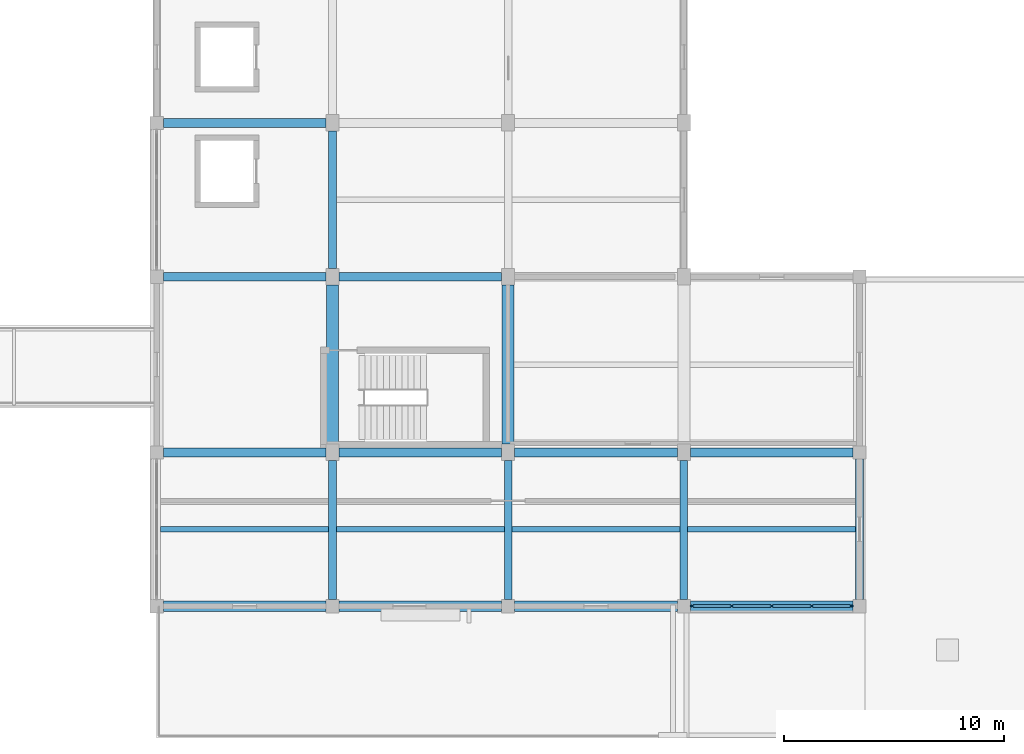
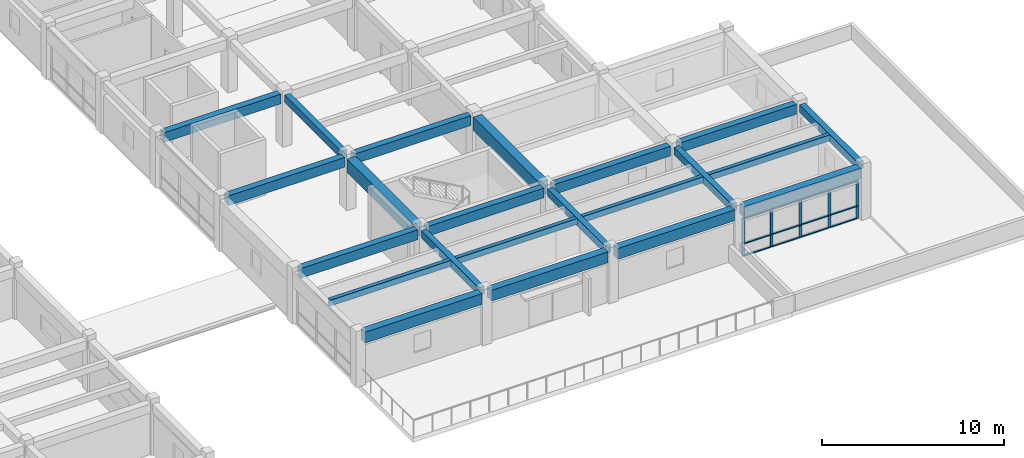
# One storey, part 16 of 42: 22 beams, 17 members, 1 element without a shape of its own.
"""IFC4 building model written with IfcOpenShell, lengths in metres."""

from ifc_helpers import new_model, si_unit, direction, frame, origin, origin_2d, place, context, subcontext, project, spatial, rectangle, extrude, material, layer, layer_set, material_profile, profile_set, type_object, element, aggregate, save


model = new_model("IFC4")

# Units and contexts
model_context = context("Model", 3, precision=1e-05, world=origin(), true_north=direction((0.0, 1.0)))
body_context = subcontext(model_context, "Body", "Model", "MODEL_VIEW")
ifc_project = project(units=[si_unit("LENGTHUNIT", "METRE"), si_unit("AREAUNIT", "SQUARE_METRE"), si_unit("VOLUMEUNIT", "CUBIC_METRE"), si_unit("PLANEANGLEUNIT", "RADIAN"), si_unit("MASSUNIT", "GRAM", prefix="KILO")], contexts=[model_context])

# Site, building, storey
site_placement = place(None, origin())
site = spatial("IfcSite", under=ifc_project, at=site_placement, CompositionType="ELEMENT")
building_placement = place(site_placement, origin())
building = spatial("IfcBuilding", under=site, at=building_placement, Name="Naurynzar Civic Courthouse", CompositionType="ELEMENT")
storey_placement = place(building_placement, frame((0.0, 0.0, 18.300048828125)))
storey = spatial("IfcBuildingStorey", under=building, at=storey_placement, Name="L05", CompositionType="ELEMENT", Elevation=18.300048828125)

# Beams
ifc_material_1 = material(Name="Concrete C40/50", Category="concrete")
ifc_material_profile_1 = material_profile(ifc_material_1, rectangle(XDim=0.25, YDim=0.39990234375, at=origin_2d()), Name="RCB 250x400")
ifc_profile_set_1 = profile_set([ifc_material_profile_1], Name="Concrete C40/50")
beam_type_1 = type_object("IfcBeamType", Name="BM-JST-250x400", PredefinedType="JOIST", material=ifc_profile_set_1)
for number, where, z_axis, x_axis, name in (
    (1, (130.175048828125, 13.5, 3.27001953125), (1.0, 0.0, 0.0), (0.0, 1.0, 0.0), "V5 secondary rib 2700 L05"),
    (2, (138.175048828125, 13.5, 3.27001953125), (1.0, 0.0, 0.0), (0.0, 1.0, 0.0), "V5 secondary rib 2701 L05"),
    (3, (146.175048828125, 13.5, 3.27001953125), (1.0, 0.0, 0.0), (0.0, 1.0, 0.0), "V5 secondary rib 2702 L05"),
    (4, (154.175048828125, 13.5, 3.27001953125), (1.0, 0.0, 0.0), (0.0, 1.0, 0.0), "V5 secondary rib 2703 L05"),
):
    element("IfcBeam", number, at=place(storey_placement, frame(where, z_axis=z_axis, x_axis=x_axis)), inside=storey, type_object=beam_type_1, Name=name, PredefinedType="JOIST", context=body_context, shape_type="SweptSolid", body=[
        extrude(rectangle(XDim=0.25, YDim=0.39990234375, at=origin_2d()), origin(), (0.0, 0.0, 1.0), 7.64990234375),
    ])
ifc_material_2 = material(Name="Concrete C40/50", Category="concrete")
ifc_material_profile_2 = material_profile(ifc_material_2, rectangle(XDim=0.35009765625, YDim=0.5, at=origin_2d()), Name="RCB 350x500")
ifc_profile_set_2 = profile_set([ifc_material_profile_2], Name="Concrete C40/50")
beam_type_2 = type_object("IfcBeamType", Name="BM-RC-350x500", PredefinedType="BEAM", material=ifc_profile_set_2)
beam_1_placement = place(storey_placement, frame((138.0, 10.300048828125, 3.219970703125), z_axis=(0.0, 1.0, 0.0), x_axis=(-1.0, 0.0, 0.0)))
element("IfcBeam", 5, at=beam_1_placement, inside=storey, type_object=beam_type_2, Name="V5 girder Y-2671 L05", PredefinedType="BEAM", context=body_context, shape_type="SweptSolid", body=[
    extrude(rectangle(XDim=0.35009765625, YDim=0.5, at=origin_2d()), origin(), (0.0, 0.0, 1.0), 6.324951171875),
])
beam_2_placement = place(storey_placement, frame((138.0, 25.375, 3.219970703125), z_axis=(0.0, 1.0, 0.0), x_axis=(-1.0, 0.0, 0.0)))
element("IfcBeam", 6, at=beam_2_placement, inside=storey, type_object=beam_type_2, Name="V5 girder Y-2673 L05", PredefinedType="BEAM", context=body_context, shape_type="SweptSolid", body=[
    extrude(rectangle(XDim=0.35009765625, YDim=0.5, at=origin_2d()), origin(), (0.0, 0.0, 1.0), 6.25),
])
for number, where, z_axis, x_axis, name in (
    (7, (146.0, 10.300048828125, 3.219970703125), (0.0, 1.0, 0.0), (-1.0, 0.0, 0.0), "V5 girder Y-2679 L05"),
    (8, (154.0, 10.300048828125, 3.219970703125), (0.0, 1.0, 0.0), (-1.0, 0.0, 0.0), "V5 girder Y-2687 L05"),
):
    element("IfcBeam", number, at=place(storey_placement, frame(where, z_axis=z_axis, x_axis=x_axis)), inside=storey, type_object=beam_type_2, Name=name, PredefinedType="BEAM", context=body_context, shape_type="SweptSolid", body=[
        extrude(rectangle(XDim=0.35009765625, YDim=0.5, at=origin_2d()), origin(), (0.0, 0.0, 1.0), 6.324951171875),
    ])
beam_3_placement = place(storey_placement, frame((162.0, 10.300048828125, 3.219970703125), z_axis=(0.0, 1.0, 0.0), x_axis=(-1.0, 0.0, 0.0)))
element("IfcBeam", 9, at=beam_3_placement, inside=storey, type_object=beam_type_2, Name="V5 girder Y-2695 L05", PredefinedType="BEAM", context=body_context, shape_type="SweptSolid", body=[
    extrude(rectangle(XDim=0.35009765625, YDim=0.5, at=origin_2d()), origin(), (0.0, 0.0, 1.0), 6.39990234375),
])
ifc_material_3 = material(Name="Concrete C40/50", Category="concrete")
ifc_material_profile_3 = material_profile(ifc_material_3, rectangle(XDim=0.39990234375, YDim=0.64990234375, at=origin_2d()), Name="RCB 400x650")
ifc_profile_set_3 = profile_set([ifc_material_profile_3], Name="Concrete C40/50")
beam_type_3 = type_object("IfcBeamType", Name="BM-RC-400x650", PredefinedType="BEAM", material=ifc_profile_set_3)
for number, where, z_axis, x_axis, name in (
    (10, (130.300048828125, 17.0, 3.14501953125), (1.0, 0.0, 0.0), (0.0, 1.0, 0.0), "V5 beam X-2633 L05"),
    (11, (138.300048828125, 17.0, 3.14501953125), (1.0, 0.0, 0.0), (0.0, 1.0, 0.0), "V5 beam X-2634 L05"),
    (12, (146.300048828125, 17.0, 3.14501953125), (1.0, 0.0, 0.0), (0.0, 1.0, 0.0), "V5 beam X-2635 L05"),
    (13, (154.300048828125, 17.0, 3.14501953125), (1.0, 0.0, 0.0), (0.0, 1.0, 0.0), "V5 beam X-2636 L05"),
    (14, (130.300048828125, 25.0, 3.14501953125), (1.0, 0.0, 0.0), (0.0, 1.0, 0.0), "V5 beam X-2637 L05"),
    (15, (138.300048828125, 25.0, 3.14501953125), (1.0, 0.0, 0.0), (0.0, 1.0, 0.0), "V5 beam X-2638 L05"),
    (16, (130.300048828125, 32.0, 3.14501953125), (1.0, 0.0, 0.0), (0.0, 1.0, 0.0), "V5 beam X-2641 L05"),
):
    element("IfcBeam", number, at=place(storey_placement, frame(where, z_axis=z_axis, x_axis=x_axis)), inside=storey, type_object=beam_type_3, Name=name, PredefinedType="BEAM", context=body_context, shape_type="SweptSolid", body=[
        extrude(rectangle(XDim=0.39990234375, YDim=0.64990234375, at=origin_2d()), origin(), (0.0, 0.0, 1.0), 7.39990234375),
    ])
ifc_material_4 = material(Name="Concrete C40/50", Category="concrete")
ifc_material_profile_4 = material_profile(ifc_material_4, rectangle(XDim=0.47509765625, YDim=0.72509765625, at=origin_2d()), Name="RCB 475x725")
ifc_profile_set_4 = profile_set([ifc_material_profile_4], Name="Concrete C40/50")
beam_type_4 = type_object("IfcBeamType", Name="BM-RC-475x725", PredefinedType="SPANDREL", material=ifc_profile_set_4)
for number, where, z_axis, x_axis, name in (
    (17, (130.300048828125, 10.0, 3.107421875), (1.0, 0.0, 0.0), (0.0, 1.0, 0.0), "V5 beam X-2629 L05"),
    (18, (138.300048828125, 10.0, 3.107421875), (1.0, 0.0, 0.0), (0.0, 1.0, 0.0), "V5 beam X-2630 L05"),
    (19, (146.300048828125, 10.0, 3.107421875), (1.0, 0.0, 0.0), (0.0, 1.0, 0.0), "V5 beam X-2631 L05"),
    (20, (154.300048828125, 10.0, 3.107421875), (1.0, 0.0, 0.0), (0.0, 1.0, 0.0), "V5 beam X-2632 L05"),
):
    element("IfcBeam", number, at=place(storey_placement, frame(where, z_axis=z_axis, x_axis=x_axis)), inside=storey, type_object=beam_type_4, Name=name, PredefinedType="SPANDREL", context=body_context, shape_type="SweptSolid", body=[
        extrude(rectangle(XDim=0.47509765625, YDim=0.72509765625, at=origin_2d()), origin(), (0.0, 0.0, 1.0), 7.39990234375),
    ])
ifc_material_5 = material(Name="Concrete C40/50", Category="concrete")
ifc_material_profile_5 = material_profile(ifc_material_5, rectangle(XDim=0.550048828125, YDim=0.89990234375, at=origin_2d()), Name="RCB 550x900")
ifc_profile_set_5 = profile_set([ifc_material_profile_5], Name="Concrete C40/50")
beam_type_5 = type_object("IfcBeamType", Name="BM-RC-550x900", PredefinedType="T_BEAM", material=ifc_profile_set_5)
for number, where, z_axis, x_axis, name in (
    (21, (138.0, 17.375, 3.02001953125), (0.0, 1.0, 0.0), (-1.0, 0.0, 0.0), "V5 girder Y-2672 L05"),
    (22, (146.0, 17.375, 3.02001953125), (0.0, 1.0, 0.0), (-1.0, 0.0, 0.0), "V5 girder Y-2680 L05"),
):
    element("IfcBeam", number, at=place(storey_placement, frame(where, z_axis=z_axis, x_axis=x_axis)), inside=storey, type_object=beam_type_5, Name=name, PredefinedType="T_BEAM", context=body_context, shape_type="SweptSolid", body=[
        extrude(rectangle(XDim=0.550048828125, YDim=0.89990234375, at=origin_2d()), origin(), (0.0, 0.0, 1.0), 7.25),
    ])

# Curtain wall, members
ifc_material_6 = material(Name="Aluminium 6063-T6", Category="aluminium")
ifc_layer = layer(ifc_material_6, 0.159912109375)
ifc_layer_set = layer_set([ifc_layer], Name="CW-UNIT-1800")
curtain_wall_type = type_object("IfcCurtainWallType", Name="CW-UNIT-1800", PredefinedType="NOTDEFINED", material=ifc_layer_set)
curtain_wall_placement = place(storey_placement, origin())
curtain_wall = element("IfcCurtainWall", 23, at=curtain_wall_placement, inside=storey, type_object=curtain_wall_type, Name="V5 unitised curtain wall 105 L05", PredefinedType="NOTDEFINED")
ifc_material_7 = material(Name="Aluminium 6063-T6", Category="aluminium")
ifc_material_profile_6 = material_profile(ifc_material_7, rectangle(XDim=0.070068359375, YDim=0.179931640625, at=origin_2d()), Name="ALU MULLION 70x180")
ifc_profile_set_6 = profile_set([ifc_material_profile_6], Name="Aluminium 6063-T6")
member_type_1 = type_object("IfcMemberType", Name="CWM-70x180", PredefinedType="MULLION", material=ifc_profile_set_6)
member_1_placement = place(storey_placement, frame((161.614990234375, 10.0, 0.0), z_axis=(0.0, 0.0, 1.0), x_axis=(0.0, -1.0, 0.0)))
member_1 = element("IfcMember", 24, at=member_1_placement, type_object=member_type_1, Name="CW-02 mullion 1", PredefinedType="MULLION", context=body_context, shape_type="SweptSolid", body=[
    extrude(rectangle(XDim=0.070068359375, YDim=0.179931640625, at=origin_2d()), origin(), (0.0, 0.0, 1.0), 2.550048828125),
])
member_2_placement = place(storey_placement, frame((159.824951171875, 10.0, 0.0), z_axis=(0.0, 0.0, 1.0), x_axis=(0.0, -1.0, 0.0)))
member_2 = element("IfcMember", 25, at=member_2_placement, type_object=member_type_1, Name="CW-02 mullion 2", PredefinedType="MULLION", context=body_context, shape_type="SweptSolid", body=[
    extrude(rectangle(XDim=0.070068359375, YDim=0.179931640625, at=origin_2d()), origin(), (0.0, 0.0, 1.0), 2.550048828125),
])
member_3_placement = place(storey_placement, frame((158.0, 10.0, 0.0), z_axis=(0.0, 0.0, 1.0), x_axis=(0.0, -1.0, 0.0)))
member_3 = element("IfcMember", 26, at=member_3_placement, type_object=member_type_1, Name="CW-02 mullion 3", PredefinedType="MULLION", context=body_context, shape_type="SweptSolid", body=[
    extrude(rectangle(XDim=0.070068359375, YDim=0.179931640625, at=origin_2d()), origin(), (0.0, 0.0, 1.0), 2.550048828125),
])
member_4_placement = place(storey_placement, frame((156.175048828125, 10.0, 0.0), z_axis=(0.0, 0.0, 1.0), x_axis=(0.0, -1.0, 0.0)))
member_4 = element("IfcMember", 27, at=member_4_placement, type_object=member_type_1, Name="CW-02 mullion 4", PredefinedType="MULLION", context=body_context, shape_type="SweptSolid", body=[
    extrude(rectangle(XDim=0.070068359375, YDim=0.179931640625, at=origin_2d()), origin(), (0.0, 0.0, 1.0), 2.550048828125),
])
member_5_placement = place(storey_placement, frame((154.385009765625, 10.0, 0.0), z_axis=(0.0, 0.0, 1.0), x_axis=(0.0, -1.0, 0.0)))
member_5 = element("IfcMember", 28, at=member_5_placement, type_object=member_type_1, Name="CW-02 mullion 5", PredefinedType="MULLION", context=body_context, shape_type="SweptSolid", body=[
    extrude(rectangle(XDim=0.070068359375, YDim=0.179931640625, at=origin_2d()), origin(), (0.0, 0.0, 1.0), 2.550048828125),
])
ifc_material_8 = material(Name="Aluminium 6063-T6", Category="aluminium")
ifc_material_profile_7 = material_profile(ifc_material_8, rectangle(XDim=0.1298828125, YDim=0.070068359375, at=origin_2d()), Name="ALU TRANSOM 70x130")
ifc_profile_set_7 = profile_set([ifc_material_profile_7], Name="Aluminium 6063-T6")
member_type_2 = type_object("IfcMemberType", Name="CWT-70x130", PredefinedType="USERDEFINED", material=ifc_profile_set_7)
member_6_placement = place(storey_placement, frame((161.580078125, 10.0, 0.034912109375), z_axis=(-1.0, 0.0, 0.0), x_axis=(0.0, -1.0, 0.0)))
member_6 = element("IfcMember", 29, at=member_6_placement, type_object=member_type_2, Name="CW-02 transom 1.1", ObjectType="TRANSOM", PredefinedType="USERDEFINED", context=body_context, shape_type="SweptSolid", body=[
    extrude(rectangle(XDim=0.1298828125, YDim=0.070068359375, at=origin_2d()), origin(), (0.0, 0.0, 1.0), 1.719970703125),
])
member_7_placement = place(storey_placement, frame((161.580078125, 10.0, 0.849853515625), z_axis=(-1.0, 0.0, 0.0), x_axis=(0.0, -1.0, 0.0)))
member_7 = element("IfcMember", 30, at=member_7_placement, type_object=member_type_2, Name="CW-02 transom 1.2", ObjectType="TRANSOM", PredefinedType="USERDEFINED", context=body_context, shape_type="SweptSolid", body=[
    extrude(rectangle(XDim=0.1298828125, YDim=0.070068359375, at=origin_2d()), origin(), (0.0, 0.0, 1.0), 1.719970703125),
])
member_8_placement = place(storey_placement, frame((161.580078125, 10.0, 2.514892578125), z_axis=(-1.0, 0.0, 0.0), x_axis=(0.0, -1.0, 0.0)))
member_8 = element("IfcMember", 31, at=member_8_placement, type_object=member_type_2, Name="CW-02 transom 1.3", ObjectType="TRANSOM", PredefinedType="USERDEFINED", context=body_context, shape_type="SweptSolid", body=[
    extrude(rectangle(XDim=0.1298828125, YDim=0.070068359375, at=origin_2d()), origin(), (0.0, 0.0, 1.0), 1.719970703125),
])
member_9_placement = place(storey_placement, frame((159.7900390625, 10.0, 0.034912109375), z_axis=(-1.0, 0.0, 0.0), x_axis=(0.0, -1.0, 0.0)))
member_9 = element("IfcMember", 32, at=member_9_placement, type_object=member_type_2, Name="CW-02 transom 2.1", ObjectType="TRANSOM", PredefinedType="USERDEFINED", context=body_context, shape_type="SweptSolid", body=[
    extrude(rectangle(XDim=0.1298828125, YDim=0.070068359375, at=origin_2d()), origin(), (0.0, 0.0, 1.0), 1.755126953125),
])
member_10_placement = place(storey_placement, frame((159.7900390625, 10.0, 0.849853515625), z_axis=(-1.0, 0.0, 0.0), x_axis=(0.0, -1.0, 0.0)))
member_10 = element("IfcMember", 33, at=member_10_placement, type_object=member_type_2, Name="CW-02 transom 2.2", ObjectType="TRANSOM", PredefinedType="USERDEFINED", context=body_context, shape_type="SweptSolid", body=[
    extrude(rectangle(XDim=0.1298828125, YDim=0.070068359375, at=origin_2d()), origin(), (0.0, 0.0, 1.0), 1.755126953125),
])
member_11_placement = place(storey_placement, frame((159.7900390625, 10.0, 2.514892578125), z_axis=(-1.0, 0.0, 0.0), x_axis=(0.0, -1.0, 0.0)))
member_11 = element("IfcMember", 34, at=member_11_placement, type_object=member_type_2, Name="CW-02 transom 2.3", ObjectType="TRANSOM", PredefinedType="USERDEFINED", context=body_context, shape_type="SweptSolid", body=[
    extrude(rectangle(XDim=0.1298828125, YDim=0.070068359375, at=origin_2d()), origin(), (0.0, 0.0, 1.0), 1.755126953125),
])
member_12_placement = place(storey_placement, frame((157.965087890625, 10.0, 0.034912109375), z_axis=(-1.0, 0.0, 0.0), x_axis=(0.0, -1.0, 0.0)))
member_12 = element("IfcMember", 35, at=member_12_placement, type_object=member_type_2, Name="CW-02 transom 3.1", ObjectType="TRANSOM", PredefinedType="USERDEFINED", context=body_context, shape_type="SweptSolid", body=[
    extrude(rectangle(XDim=0.1298828125, YDim=0.070068359375, at=origin_2d()), origin(), (0.0, 0.0, 1.0), 1.755126953125),
])
member_13_placement = place(storey_placement, frame((157.965087890625, 10.0, 0.849853515625), z_axis=(-1.0, 0.0, 0.0), x_axis=(0.0, -1.0, 0.0)))
member_13 = element("IfcMember", 36, at=member_13_placement, type_object=member_type_2, Name="CW-02 transom 3.2", ObjectType="TRANSOM", PredefinedType="USERDEFINED", context=body_context, shape_type="SweptSolid", body=[
    extrude(rectangle(XDim=0.1298828125, YDim=0.070068359375, at=origin_2d()), origin(), (0.0, 0.0, 1.0), 1.755126953125),
])
member_14_placement = place(storey_placement, frame((157.965087890625, 10.0, 2.514892578125), z_axis=(-1.0, 0.0, 0.0), x_axis=(0.0, -1.0, 0.0)))
member_14 = element("IfcMember", 37, at=member_14_placement, type_object=member_type_2, Name="CW-02 transom 3.3", ObjectType="TRANSOM", PredefinedType="USERDEFINED", context=body_context, shape_type="SweptSolid", body=[
    extrude(rectangle(XDim=0.1298828125, YDim=0.070068359375, at=origin_2d()), origin(), (0.0, 0.0, 1.0), 1.755126953125),
])
member_15_placement = place(storey_placement, frame((156.139892578125, 10.0, 0.034912109375), z_axis=(-1.0, 0.0, 0.0), x_axis=(0.0, -1.0, 0.0)))
member_15 = element("IfcMember", 38, at=member_15_placement, type_object=member_type_2, Name="CW-02 transom 4.1", ObjectType="TRANSOM", PredefinedType="USERDEFINED", context=body_context, shape_type="SweptSolid", body=[
    extrude(rectangle(XDim=0.1298828125, YDim=0.070068359375, at=origin_2d()), origin(), (0.0, 0.0, 1.0), 1.719970703125),
])
member_16_placement = place(storey_placement, frame((156.139892578125, 10.0, 0.849853515625), z_axis=(-1.0, 0.0, 0.0), x_axis=(0.0, -1.0, 0.0)))
member_16 = element("IfcMember", 39, at=member_16_placement, type_object=member_type_2, Name="CW-02 transom 4.2", ObjectType="TRANSOM", PredefinedType="USERDEFINED", context=body_context, shape_type="SweptSolid", body=[
    extrude(rectangle(XDim=0.1298828125, YDim=0.070068359375, at=origin_2d()), origin(), (0.0, 0.0, 1.0), 1.719970703125),
])
member_17_placement = place(storey_placement, frame((156.139892578125, 10.0, 2.514892578125), z_axis=(-1.0, 0.0, 0.0), x_axis=(0.0, -1.0, 0.0)))
member_17 = element("IfcMember", 40, at=member_17_placement, type_object=member_type_2, Name="CW-02 transom 4.3", ObjectType="TRANSOM", PredefinedType="USERDEFINED", context=body_context, shape_type="SweptSolid", body=[
    extrude(rectangle(XDim=0.1298828125, YDim=0.070068359375, at=origin_2d()), origin(), (0.0, 0.0, 1.0), 1.719970703125),
])
aggregate(curtain_wall, [member_1, member_2, member_3, member_4, member_5, member_6, member_7, member_8, member_9, member_10, member_11, member_12, member_13, member_14, member_15, member_16, member_17])

save(model, "model.ifc")
